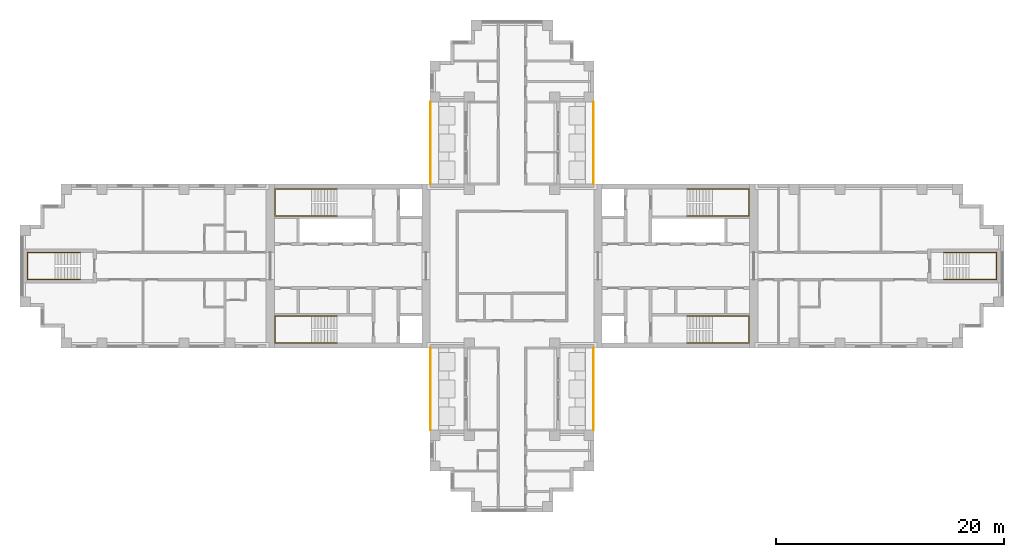
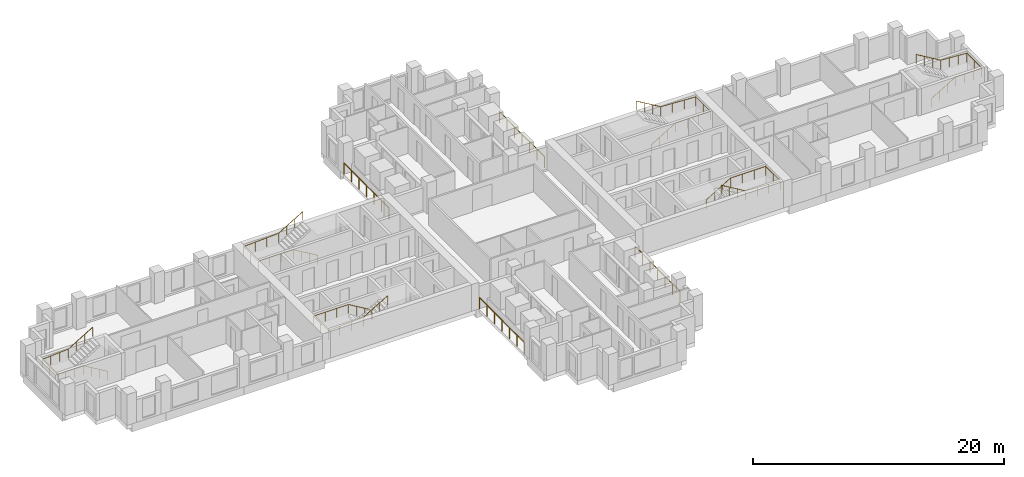
# One storey, part 10 of 11: 10 railings.
"""IFC4 building model written with IfcOpenShell, lengths in metres."""

from ifc_helpers import new_model, si_unit, direction, frame, origin, origin_2d, place, context, subcontext, project, spatial, circle, extrude, material, type_object, element, save


model = new_model("IFC4")

# Units and contexts
model_context = context("Model", 3, precision=1e-05, world=origin(), true_north=direction((0.0, 1.0)))
body_context = subcontext(model_context, "Body", "Model", "MODEL_VIEW")
ifc_project = project(units=[si_unit("LENGTHUNIT", "METRE"), si_unit("AREAUNIT", "SQUARE_METRE"), si_unit("VOLUMEUNIT", "CUBIC_METRE"), si_unit("PLANEANGLEUNIT", "RADIAN"), si_unit("MASSUNIT", "GRAM", prefix="KILO")], contexts=[model_context])

# Site, building, storey
site_placement = place(None, origin())
site = spatial("IfcSite", under=ifc_project, at=site_placement, CompositionType="ELEMENT")
building_placement = place(site_placement, origin())
building = spatial("IfcBuilding", under=site, at=building_placement, Name="Fustian Cross Tower", CompositionType="ELEMENT")
storey_placement = place(building_placement, frame((0.0, 0.0, 123.300048828125)))
storey = spatial("IfcBuildingStorey", under=building, at=storey_placement, Name="L38", CompositionType="ELEMENT", Elevation=123.300048828125)

# Railings
ifc_material_1 = material(Name="Stainless steel and glass", Category="steel")
railing_type_1 = type_object("IfcRailingType", Name="GR1 BALCONY GUARD 1100", PredefinedType="GUARDRAIL", material=ifc_material_1)
for number, where, name in (
    (1, (7.14990234375, 7.199951171875, 0.0), "Balcony guard"),
    (2, (-7.14990234375, 7.199951171875, 0.0), "Balcony guard"),
    (3, (7.14990234375, -14.39990234375, 0.0), "Balcony guard"),
    (4, (-7.14990234375, -14.39990234375, 0.0), "Balcony guard"),
):
    element("IfcRailing", number, at=place(storey_placement, frame(where)), inside=storey, type_object=railing_type_1, Name=name, PredefinedType="GUARDRAIL", context=body_context, shape_type="SweptSolid", body=[
        extrude(circle(Radius=0.02392578125, at=origin_2d()), frame((0.0, 0.0, 1.076171875), z_axis=(0.0, 1.0, 0.0), x_axis=(-1.0, 0.0, 0.0)), (0.0, 0.0, 1.0), 7.199951171875),
        extrude(circle(Radius=0.02099609375, at=origin_2d()), origin(), (0.0, 0.0, 1.0), 1.052001953125),
        extrude(circle(Radius=0.02099609375, at=origin_2d()), frame((0.0, 1.199951171875, 0.0)), (0.0, 0.0, 1.0), 1.052001953125),
        extrude(circle(Radius=0.02099609375, at=origin_2d()), frame((0.0, 2.39990234375, 0.0)), (0.0, 0.0, 1.0), 1.052001953125),
        extrude(circle(Radius=0.02099609375, at=origin_2d()), frame((0.0, 3.60009765625, 0.0)), (0.0, 0.0, 1.0), 1.052001953125),
        extrude(circle(Radius=0.02099609375, at=origin_2d()), frame((0.0, 4.800048828125, 0.0)), (0.0, 0.0, 1.0), 1.052001953125),
        extrude(circle(Radius=0.02099609375, at=origin_2d()), frame((0.0, 6.0, 0.0)), (0.0, 0.0, 1.0), 1.052001953125),
        extrude(circle(Radius=0.02099609375, at=origin_2d()), frame((0.0, 7.199951171875, 0.0)), (0.0, 0.0, 1.0), 1.052001953125),
    ])
ifc_material_2 = material(Name="Stainless steel", Category="steel")
railing_type_2 = type_object("IfcRailingType", Name="STAIR HANDRAIL", PredefinedType="HANDRAIL", material=ifc_material_2)
railing_1_placement = place(storey_placement, frame((15.35009765625, 4.39990234375, 0.16650390625)))
element("IfcRailing", 5, at=railing_1_placement, inside=storey, type_object=railing_type_2, Name="Stair ST1 handrail 1", PredefinedType="HANDRAIL", context=body_context, shape_type="SweptSolid", body=[
    extrude(circle(Radius=0.02490234375, at=origin_2d()), frame((0.0, 0.0, 0.875), z_axis=(0.859264461869, 0.0, 0.511531606619), x_axis=(0.0, 1.0, 0.0)), (0.0, 0.0, 1.0), 2.60693359375),
    extrude(circle(Radius=0.02490234375, at=origin_2d()), frame((2.239990234375, 0.0, 2.20849609375), z_axis=(1.0, 0.0, 0.0), x_axis=(0.0, 1.0, 0.0)), (0.0, 0.0, 1.0), 3.219970703125),
    extrude(circle(Radius=0.02490234375, at=origin_2d()), frame((5.4599609375, 0.0, 2.20849609375), z_axis=(0.0, 1.0, 0.0), x_axis=(-1.0, 0.0, 0.0)), (0.0, 0.0, 1.0), 2.35009765625),
    extrude(circle(Radius=0.02490234375, at=origin_2d()), frame((5.4599609375, 2.35009765625, 2.20849609375), z_axis=(-0.998665725648, 0.0, 0.051640763128), x_axis=(0.0, -1.0, 0.0)), (0.0, 0.0, 1.0), 3.224365234375),
    extrude(circle(Radius=0.02490234375, at=origin_2d()), frame((2.239990234375, 2.35009765625, 2.375), z_axis=(-0.859264461869, 0.0, 0.511531606619), x_axis=(0.0, -1.0, 0.0)), (0.0, 0.0, 1.0), 2.60693359375),
    extrude(circle(Radius=0.02001953125, at=origin_2d()), origin(), (0.0, 0.0, 1.0), 0.849853515625),
    extrude(circle(Radius=0.02001953125, at=origin_2d()), frame((0.74658203125, 0.0, 0.444580078125)), (0.0, 0.0, 1.0), 0.849853515625),
    extrude(circle(Radius=0.02001953125, at=origin_2d()), frame((1.493408203125, 0.0, 0.888916015625)), (0.0, 0.0, 1.0), 0.849853515625),
    extrude(circle(Radius=0.02001953125, at=origin_2d()), frame((2.239990234375, 0.0, 1.33349609375)), (0.0, 0.0, 1.0), 0.849853515625),
    extrude(circle(Radius=0.02001953125, at=origin_2d()), frame((3.313232421875, 0.0, 1.33349609375)), (0.0, 0.0, 1.0), 0.849853515625),
    extrude(circle(Radius=0.02001953125, at=origin_2d()), frame((4.38671875, 0.0, 1.33349609375)), (0.0, 0.0, 1.0), 0.849853515625),
    extrude(circle(Radius=0.02001953125, at=origin_2d()), frame((5.4599609375, 0.0, 1.33349609375)), (0.0, 0.0, 1.0), 0.849853515625),
    extrude(circle(Radius=0.02001953125, at=origin_2d()), frame((5.4599609375, 1.175048828125, 1.33349609375)), (0.0, 0.0, 1.0), 0.849853515625),
    extrude(circle(Radius=0.02001953125, at=origin_2d()), frame((5.4599609375, 2.35009765625, 1.33349609375)), (0.0, 0.0, 1.0), 0.849853515625),
    extrude(circle(Radius=0.02001953125, at=origin_2d()), frame((4.38671875, 2.35009765625, 1.388916015625)), (0.0, 0.0, 1.0), 0.849853515625),
    extrude(circle(Radius=0.02001953125, at=origin_2d()), frame((3.313232421875, 2.35009765625, 1.444580078125)), (0.0, 0.0, 1.0), 0.849853515625),
    extrude(circle(Radius=0.02001953125, at=origin_2d()), frame((2.239990234375, 2.35009765625, 1.5)), (0.0, 0.0, 1.0), 0.849853515625),
    extrude(circle(Radius=0.02001953125, at=origin_2d()), frame((1.493408203125, 2.35009765625, 1.944580078125)), (0.0, 0.0, 1.0), 0.849853515625),
    extrude(circle(Radius=0.02001953125, at=origin_2d()), frame((0.74658203125, 2.35009765625, 2.388916015625)), (0.0, 0.0, 1.0), 0.849853515625),
    extrude(circle(Radius=0.02001953125, at=origin_2d()), frame((0.0, 2.35009765625, 2.83349609375)), (0.0, 0.0, 1.0), 0.849853515625),
])
railing_2_placement = place(storey_placement, frame((15.35009765625, -4.39990234375, 0.16650390625)))
element("IfcRailing", 6, at=railing_2_placement, inside=storey, type_object=railing_type_2, Name="Stair ST2 handrail 1", PredefinedType="HANDRAIL", context=body_context, shape_type="SweptSolid", body=[
    extrude(circle(Radius=0.02490234375, at=origin_2d()), frame((0.0, 0.0, 0.875), z_axis=(0.859264461869, 0.0, 0.511531606619), x_axis=(0.0, 1.0, 0.0)), (0.0, 0.0, 1.0), 2.60693359375),
    extrude(circle(Radius=0.02490234375, at=origin_2d()), frame((2.239990234375, 0.0, 2.20849609375), z_axis=(1.0, 0.0, 0.0), x_axis=(0.0, 1.0, 0.0)), (0.0, 0.0, 1.0), 3.219970703125),
    extrude(circle(Radius=0.02490234375, at=origin_2d()), frame((5.4599609375, 0.0, 2.20849609375), z_axis=(0.0, -1.0, 0.0), x_axis=(1.0, 0.0, 0.0)), (0.0, 0.0, 1.0), 2.35009765625),
    extrude(circle(Radius=0.02490234375, at=origin_2d()), frame((5.4599609375, -2.35009765625, 2.20849609375), z_axis=(-0.998665725648, 0.0, 0.051640763128), x_axis=(0.0, -1.0, 0.0)), (0.0, 0.0, 1.0), 3.224365234375),
    extrude(circle(Radius=0.02490234375, at=origin_2d()), frame((2.239990234375, -2.35009765625, 2.375), z_axis=(-0.859264461869, 0.0, 0.511531606619), x_axis=(0.0, -1.0, 0.0)), (0.0, 0.0, 1.0), 2.60693359375),
    extrude(circle(Radius=0.02001953125, at=origin_2d()), origin(), (0.0, 0.0, 1.0), 0.849853515625),
    extrude(circle(Radius=0.02001953125, at=origin_2d()), frame((0.74658203125, 0.0, 0.444580078125)), (0.0, 0.0, 1.0), 0.849853515625),
    extrude(circle(Radius=0.02001953125, at=origin_2d()), frame((1.493408203125, 0.0, 0.888916015625)), (0.0, 0.0, 1.0), 0.849853515625),
    extrude(circle(Radius=0.02001953125, at=origin_2d()), frame((2.239990234375, 0.0, 1.33349609375)), (0.0, 0.0, 1.0), 0.849853515625),
    extrude(circle(Radius=0.02001953125, at=origin_2d()), frame((3.313232421875, 0.0, 1.33349609375)), (0.0, 0.0, 1.0), 0.849853515625),
    extrude(circle(Radius=0.02001953125, at=origin_2d()), frame((4.38671875, 0.0, 1.33349609375)), (0.0, 0.0, 1.0), 0.849853515625),
    extrude(circle(Radius=0.02001953125, at=origin_2d()), frame((5.4599609375, 0.0, 1.33349609375)), (0.0, 0.0, 1.0), 0.849853515625),
    extrude(circle(Radius=0.02001953125, at=origin_2d()), frame((5.4599609375, -1.175048828125, 1.33349609375)), (0.0, 0.0, 1.0), 0.849853515625),
    extrude(circle(Radius=0.02001953125, at=origin_2d()), frame((5.4599609375, -2.35009765625, 1.33349609375)), (0.0, 0.0, 1.0), 0.849853515625),
    extrude(circle(Radius=0.02001953125, at=origin_2d()), frame((4.38671875, -2.35009765625, 1.388916015625)), (0.0, 0.0, 1.0), 0.849853515625),
    extrude(circle(Radius=0.02001953125, at=origin_2d()), frame((3.313232421875, -2.35009765625, 1.444580078125)), (0.0, 0.0, 1.0), 0.849853515625),
    extrude(circle(Radius=0.02001953125, at=origin_2d()), frame((2.239990234375, -2.35009765625, 1.5)), (0.0, 0.0, 1.0), 0.849853515625),
    extrude(circle(Radius=0.02001953125, at=origin_2d()), frame((1.493408203125, -2.35009765625, 1.944580078125)), (0.0, 0.0, 1.0), 0.849853515625),
    extrude(circle(Radius=0.02001953125, at=origin_2d()), frame((0.74658203125, -2.35009765625, 2.388916015625)), (0.0, 0.0, 1.0), 0.849853515625),
    extrude(circle(Radius=0.02001953125, at=origin_2d()), frame((0.0, -2.35009765625, 2.83349609375)), (0.0, 0.0, 1.0), 0.849853515625),
])
railing_3_placement = place(storey_placement, frame((-15.35009765625, 4.39990234375, 0.16650390625)))
element("IfcRailing", 7, at=railing_3_placement, inside=storey, type_object=railing_type_2, Name="Stair ST3 handrail 1", PredefinedType="HANDRAIL", context=body_context, shape_type="SweptSolid", body=[
    extrude(circle(Radius=0.02490234375, at=origin_2d()), frame((0.0, 0.0, 0.875), z_axis=(-0.859264461869, 0.0, 0.511531606619), x_axis=(0.0, -1.0, 0.0)), (0.0, 0.0, 1.0), 2.60693359375),
    extrude(circle(Radius=0.02490234375, at=origin_2d()), frame((-2.239990234375, 0.0, 2.20849609375), z_axis=(-1.0, 0.0, 0.0), x_axis=(0.0, -1.0, 0.0)), (0.0, 0.0, 1.0), 3.219970703125),
    extrude(circle(Radius=0.02490234375, at=origin_2d()), frame((-5.4599609375, 0.0, 2.20849609375), z_axis=(0.0, 1.0, 0.0), x_axis=(-1.0, 0.0, 0.0)), (0.0, 0.0, 1.0), 2.35009765625),
    extrude(circle(Radius=0.02490234375, at=origin_2d()), frame((-5.4599609375, 2.35009765625, 2.20849609375), z_axis=(0.998665725648, 0.0, 0.051640763128), x_axis=(0.0, 1.0, 0.0)), (0.0, 0.0, 1.0), 3.224365234375),
    extrude(circle(Radius=0.02490234375, at=origin_2d()), frame((-2.239990234375, 2.35009765625, 2.375), z_axis=(0.859264461869, 0.0, 0.511531606619), x_axis=(0.0, 1.0, 0.0)), (0.0, 0.0, 1.0), 2.60693359375),
    extrude(circle(Radius=0.02001953125, at=origin_2d()), origin(), (0.0, 0.0, 1.0), 0.849853515625),
    extrude(circle(Radius=0.02001953125, at=origin_2d()), frame((-0.74658203125, 0.0, 0.444580078125)), (0.0, 0.0, 1.0), 0.849853515625),
    extrude(circle(Radius=0.02001953125, at=origin_2d()), frame((-1.493408203125, 0.0, 0.888916015625)), (0.0, 0.0, 1.0), 0.849853515625),
    extrude(circle(Radius=0.02001953125, at=origin_2d()), frame((-2.239990234375, 0.0, 1.33349609375)), (0.0, 0.0, 1.0), 0.849853515625),
    extrude(circle(Radius=0.02001953125, at=origin_2d()), frame((-3.313232421875, 0.0, 1.33349609375)), (0.0, 0.0, 1.0), 0.849853515625),
    extrude(circle(Radius=0.02001953125, at=origin_2d()), frame((-4.38671875, 0.0, 1.33349609375)), (0.0, 0.0, 1.0), 0.849853515625),
    extrude(circle(Radius=0.02001953125, at=origin_2d()), frame((-5.4599609375, 0.0, 1.33349609375)), (0.0, 0.0, 1.0), 0.849853515625),
    extrude(circle(Radius=0.02001953125, at=origin_2d()), frame((-5.4599609375, 1.175048828125, 1.33349609375)), (0.0, 0.0, 1.0), 0.849853515625),
    extrude(circle(Radius=0.02001953125, at=origin_2d()), frame((-5.4599609375, 2.35009765625, 1.33349609375)), (0.0, 0.0, 1.0), 0.849853515625),
    extrude(circle(Radius=0.02001953125, at=origin_2d()), frame((-4.38671875, 2.35009765625, 1.388916015625)), (0.0, 0.0, 1.0), 0.849853515625),
    extrude(circle(Radius=0.02001953125, at=origin_2d()), frame((-3.313232421875, 2.35009765625, 1.444580078125)), (0.0, 0.0, 1.0), 0.849853515625),
    extrude(circle(Radius=0.02001953125, at=origin_2d()), frame((-2.239990234375, 2.35009765625, 1.5)), (0.0, 0.0, 1.0), 0.849853515625),
    extrude(circle(Radius=0.02001953125, at=origin_2d()), frame((-1.493408203125, 2.35009765625, 1.944580078125)), (0.0, 0.0, 1.0), 0.849853515625),
    extrude(circle(Radius=0.02001953125, at=origin_2d()), frame((-0.74658203125, 2.35009765625, 2.388916015625)), (0.0, 0.0, 1.0), 0.849853515625),
    extrude(circle(Radius=0.02001953125, at=origin_2d()), frame((0.0, 2.35009765625, 2.83349609375)), (0.0, 0.0, 1.0), 0.849853515625),
])
railing_4_placement = place(storey_placement, frame((-15.35009765625, -4.39990234375, 0.16650390625)))
element("IfcRailing", 8, at=railing_4_placement, inside=storey, type_object=railing_type_2, Name="Stair ST4 handrail 1", PredefinedType="HANDRAIL", context=body_context, shape_type="SweptSolid", body=[
    extrude(circle(Radius=0.02490234375, at=origin_2d()), frame((0.0, 0.0, 0.875), z_axis=(-0.859264461869, 0.0, 0.511531606619), x_axis=(0.0, -1.0, 0.0)), (0.0, 0.0, 1.0), 2.60693359375),
    extrude(circle(Radius=0.02490234375, at=origin_2d()), frame((-2.239990234375, 0.0, 2.20849609375), z_axis=(-1.0, 0.0, 0.0), x_axis=(0.0, -1.0, 0.0)), (0.0, 0.0, 1.0), 3.219970703125),
    extrude(circle(Radius=0.02490234375, at=origin_2d()), frame((-5.4599609375, 0.0, 2.20849609375), z_axis=(0.0, -1.0, 0.0), x_axis=(1.0, 0.0, 0.0)), (0.0, 0.0, 1.0), 2.35009765625),
    extrude(circle(Radius=0.02490234375, at=origin_2d()), frame((-5.4599609375, -2.35009765625, 2.20849609375), z_axis=(0.998665725648, 0.0, 0.051640763128), x_axis=(0.0, 1.0, 0.0)), (0.0, 0.0, 1.0), 3.224365234375),
    extrude(circle(Radius=0.02490234375, at=origin_2d()), frame((-2.239990234375, -2.35009765625, 2.375), z_axis=(0.859264461869, 0.0, 0.511531606619), x_axis=(0.0, 1.0, 0.0)), (0.0, 0.0, 1.0), 2.60693359375),
    extrude(circle(Radius=0.02001953125, at=origin_2d()), origin(), (0.0, 0.0, 1.0), 0.849853515625),
    extrude(circle(Radius=0.02001953125, at=origin_2d()), frame((-0.74658203125, 0.0, 0.444580078125)), (0.0, 0.0, 1.0), 0.849853515625),
    extrude(circle(Radius=0.02001953125, at=origin_2d()), frame((-1.493408203125, 0.0, 0.888916015625)), (0.0, 0.0, 1.0), 0.849853515625),
    extrude(circle(Radius=0.02001953125, at=origin_2d()), frame((-2.239990234375, 0.0, 1.33349609375)), (0.0, 0.0, 1.0), 0.849853515625),
    extrude(circle(Radius=0.02001953125, at=origin_2d()), frame((-3.313232421875, 0.0, 1.33349609375)), (0.0, 0.0, 1.0), 0.849853515625),
    extrude(circle(Radius=0.02001953125, at=origin_2d()), frame((-4.38671875, 0.0, 1.33349609375)), (0.0, 0.0, 1.0), 0.849853515625),
    extrude(circle(Radius=0.02001953125, at=origin_2d()), frame((-5.4599609375, 0.0, 1.33349609375)), (0.0, 0.0, 1.0), 0.849853515625),
    extrude(circle(Radius=0.02001953125, at=origin_2d()), frame((-5.4599609375, -1.175048828125, 1.33349609375)), (0.0, 0.0, 1.0), 0.849853515625),
    extrude(circle(Radius=0.02001953125, at=origin_2d()), frame((-5.4599609375, -2.35009765625, 1.33349609375)), (0.0, 0.0, 1.0), 0.849853515625),
    extrude(circle(Radius=0.02001953125, at=origin_2d()), frame((-4.38671875, -2.35009765625, 1.388916015625)), (0.0, 0.0, 1.0), 0.849853515625),
    extrude(circle(Radius=0.02001953125, at=origin_2d()), frame((-3.313232421875, -2.35009765625, 1.444580078125)), (0.0, 0.0, 1.0), 0.849853515625),
    extrude(circle(Radius=0.02001953125, at=origin_2d()), frame((-2.239990234375, -2.35009765625, 1.5)), (0.0, 0.0, 1.0), 0.849853515625),
    extrude(circle(Radius=0.02001953125, at=origin_2d()), frame((-1.493408203125, -2.35009765625, 1.944580078125)), (0.0, 0.0, 1.0), 0.849853515625),
    extrude(circle(Radius=0.02001953125, at=origin_2d()), frame((-0.74658203125, -2.35009765625, 2.388916015625)), (0.0, 0.0, 1.0), 0.849853515625),
    extrude(circle(Radius=0.02001953125, at=origin_2d()), frame((0.0, -2.35009765625, 2.83349609375)), (0.0, 0.0, 1.0), 0.849853515625),
])
railing_5_placement = place(storey_placement, frame((37.89990234375, -1.199951171875, 0.16650390625)))
element("IfcRailing", 9, at=railing_5_placement, inside=storey, type_object=railing_type_2, Name="Stair ST8 handrail 1", PredefinedType="HANDRAIL", context=body_context, shape_type="SweptSolid", body=[
    extrude(circle(Radius=0.02490234375, at=origin_2d()), frame((0.0, 0.0, 0.875), z_axis=(0.859264461869, 0.0, 0.511531606619), x_axis=(0.0, 1.0, 0.0)), (0.0, 0.0, 1.0), 2.60693359375),
    extrude(circle(Radius=0.02490234375, at=origin_2d()), frame((2.239990234375, 0.0, 2.20849609375), z_axis=(1.0, 0.0, 0.0), x_axis=(0.0, 1.0, 0.0)), (0.0, 0.0, 1.0), 2.420166015625),
    extrude(circle(Radius=0.02490234375, at=origin_2d()), frame((4.66015625, 0.0, 2.20849609375), z_axis=(0.0, 1.0, 0.0), x_axis=(-1.0, 0.0, 0.0)), (0.0, 0.0, 1.0), 2.39990234375),
    extrude(circle(Radius=0.02490234375, at=origin_2d()), frame((4.66015625, 2.39990234375, 2.20849609375), z_axis=(-0.997641748275, 0.0, 0.068636303069), x_axis=(0.0, -1.0, 0.0)), (0.0, 0.0, 1.0), 2.42578125),
    extrude(circle(Radius=0.02490234375, at=origin_2d()), frame((2.239990234375, 2.39990234375, 2.375), z_axis=(-0.859264461869, 0.0, 0.511531606619), x_axis=(0.0, -1.0, 0.0)), (0.0, 0.0, 1.0), 2.60693359375),
    extrude(circle(Radius=0.02001953125, at=origin_2d()), origin(), (0.0, 0.0, 1.0), 0.849853515625),
    extrude(circle(Radius=0.02001953125, at=origin_2d()), frame((0.74658203125, 0.0, 0.444580078125)), (0.0, 0.0, 1.0), 0.849853515625),
    extrude(circle(Radius=0.02001953125, at=origin_2d()), frame((1.493408203125, 0.0, 0.888916015625)), (0.0, 0.0, 1.0), 0.849853515625),
    extrude(circle(Radius=0.02001953125, at=origin_2d()), frame((2.239990234375, 0.0, 1.33349609375)), (0.0, 0.0, 1.0), 0.849853515625),
    extrude(circle(Radius=0.02001953125, at=origin_2d()), frame((3.046630859375, 0.0, 1.33349609375)), (0.0, 0.0, 1.0), 0.849853515625),
    extrude(circle(Radius=0.02001953125, at=origin_2d()), frame((3.853515625, 0.0, 1.33349609375)), (0.0, 0.0, 1.0), 0.849853515625),
    extrude(circle(Radius=0.02001953125, at=origin_2d()), frame((4.66015625, 0.0, 1.33349609375)), (0.0, 0.0, 1.0), 0.849853515625),
    extrude(circle(Radius=0.02001953125, at=origin_2d()), frame((4.66015625, 1.199951171875, 1.33349609375)), (0.0, 0.0, 1.0), 0.849853515625),
    extrude(circle(Radius=0.02001953125, at=origin_2d()), frame((4.66015625, 2.39990234375, 1.33349609375)), (0.0, 0.0, 1.0), 0.849853515625),
    extrude(circle(Radius=0.02001953125, at=origin_2d()), frame((3.853515625, 2.39990234375, 1.388916015625)), (0.0, 0.0, 1.0), 0.849853515625),
    extrude(circle(Radius=0.02001953125, at=origin_2d()), frame((3.046630859375, 2.39990234375, 1.444580078125)), (0.0, 0.0, 1.0), 0.849853515625),
    extrude(circle(Radius=0.02001953125, at=origin_2d()), frame((2.239990234375, 2.39990234375, 1.5)), (0.0, 0.0, 1.0), 0.849853515625),
    extrude(circle(Radius=0.02001953125, at=origin_2d()), frame((1.493408203125, 2.39990234375, 1.944580078125)), (0.0, 0.0, 1.0), 0.849853515625),
    extrude(circle(Radius=0.02001953125, at=origin_2d()), frame((0.74658203125, 2.39990234375, 2.388916015625)), (0.0, 0.0, 1.0), 0.849853515625),
    extrude(circle(Radius=0.02001953125, at=origin_2d()), frame((0.0, 2.39990234375, 2.83349609375)), (0.0, 0.0, 1.0), 0.849853515625),
])
railing_6_placement = place(storey_placement, frame((-37.89990234375, -1.199951171875, 0.16650390625)))
element("IfcRailing", 10, at=railing_6_placement, inside=storey, type_object=railing_type_2, Name="Stair ST9 handrail 1", PredefinedType="HANDRAIL", context=body_context, shape_type="SweptSolid", body=[
    extrude(circle(Radius=0.02490234375, at=origin_2d()), frame((0.0, 0.0, 0.875), z_axis=(-0.859264461869, 0.0, 0.511531606619), x_axis=(0.0, -1.0, 0.0)), (0.0, 0.0, 1.0), 2.60693359375),
    extrude(circle(Radius=0.02490234375, at=origin_2d()), frame((-2.239990234375, 0.0, 2.20849609375), z_axis=(-1.0, 0.0, 0.0), x_axis=(0.0, -1.0, 0.0)), (0.0, 0.0, 1.0), 2.420166015625),
    extrude(circle(Radius=0.02490234375, at=origin_2d()), frame((-4.66015625, 0.0, 2.20849609375), z_axis=(0.0, 1.0, 0.0), x_axis=(-1.0, 0.0, 0.0)), (0.0, 0.0, 1.0), 2.39990234375),
    extrude(circle(Radius=0.02490234375, at=origin_2d()), frame((-4.66015625, 2.39990234375, 2.20849609375), z_axis=(0.997641748275, 0.0, 0.068636303069), x_axis=(0.0, 1.0, 0.0)), (0.0, 0.0, 1.0), 2.42578125),
    extrude(circle(Radius=0.02490234375, at=origin_2d()), frame((-2.239990234375, 2.39990234375, 2.375), z_axis=(0.859264461869, 0.0, 0.511531606619), x_axis=(0.0, 1.0, 0.0)), (0.0, 0.0, 1.0), 2.60693359375),
    extrude(circle(Radius=0.02001953125, at=origin_2d()), origin(), (0.0, 0.0, 1.0), 0.849853515625),
    extrude(circle(Radius=0.02001953125, at=origin_2d()), frame((-0.74658203125, 0.0, 0.444580078125)), (0.0, 0.0, 1.0), 0.849853515625),
    extrude(circle(Radius=0.02001953125, at=origin_2d()), frame((-1.493408203125, 0.0, 0.888916015625)), (0.0, 0.0, 1.0), 0.849853515625),
    extrude(circle(Radius=0.02001953125, at=origin_2d()), frame((-2.239990234375, 0.0, 1.33349609375)), (0.0, 0.0, 1.0), 0.849853515625),
    extrude(circle(Radius=0.02001953125, at=origin_2d()), frame((-3.046630859375, 0.0, 1.33349609375)), (0.0, 0.0, 1.0), 0.849853515625),
    extrude(circle(Radius=0.02001953125, at=origin_2d()), frame((-3.853515625, 0.0, 1.33349609375)), (0.0, 0.0, 1.0), 0.849853515625),
    extrude(circle(Radius=0.02001953125, at=origin_2d()), frame((-4.66015625, 0.0, 1.33349609375)), (0.0, 0.0, 1.0), 0.849853515625),
    extrude(circle(Radius=0.02001953125, at=origin_2d()), frame((-4.66015625, 1.199951171875, 1.33349609375)), (0.0, 0.0, 1.0), 0.849853515625),
    extrude(circle(Radius=0.02001953125, at=origin_2d()), frame((-4.66015625, 2.39990234375, 1.33349609375)), (0.0, 0.0, 1.0), 0.849853515625),
    extrude(circle(Radius=0.02001953125, at=origin_2d()), frame((-3.853515625, 2.39990234375, 1.388916015625)), (0.0, 0.0, 1.0), 0.849853515625),
    extrude(circle(Radius=0.02001953125, at=origin_2d()), frame((-3.046630859375, 2.39990234375, 1.444580078125)), (0.0, 0.0, 1.0), 0.849853515625),
    extrude(circle(Radius=0.02001953125, at=origin_2d()), frame((-2.239990234375, 2.39990234375, 1.5)), (0.0, 0.0, 1.0), 0.849853515625),
    extrude(circle(Radius=0.02001953125, at=origin_2d()), frame((-1.493408203125, 2.39990234375, 1.944580078125)), (0.0, 0.0, 1.0), 0.849853515625),
    extrude(circle(Radius=0.02001953125, at=origin_2d()), frame((-0.74658203125, 2.39990234375, 2.388916015625)), (0.0, 0.0, 1.0), 0.849853515625),
    extrude(circle(Radius=0.02001953125, at=origin_2d()), frame((0.0, 2.39990234375, 2.83349609375)), (0.0, 0.0, 1.0), 0.849853515625),
])

save(model, "model.ifc")
